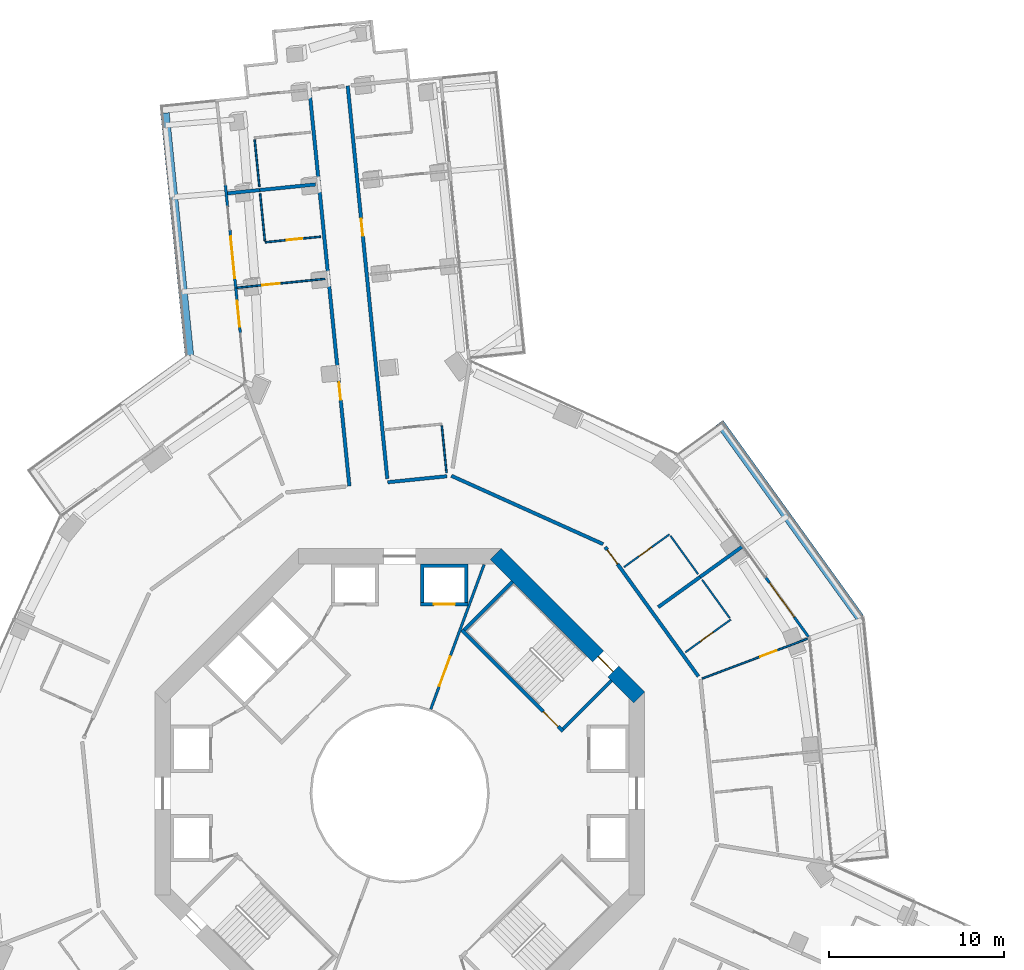
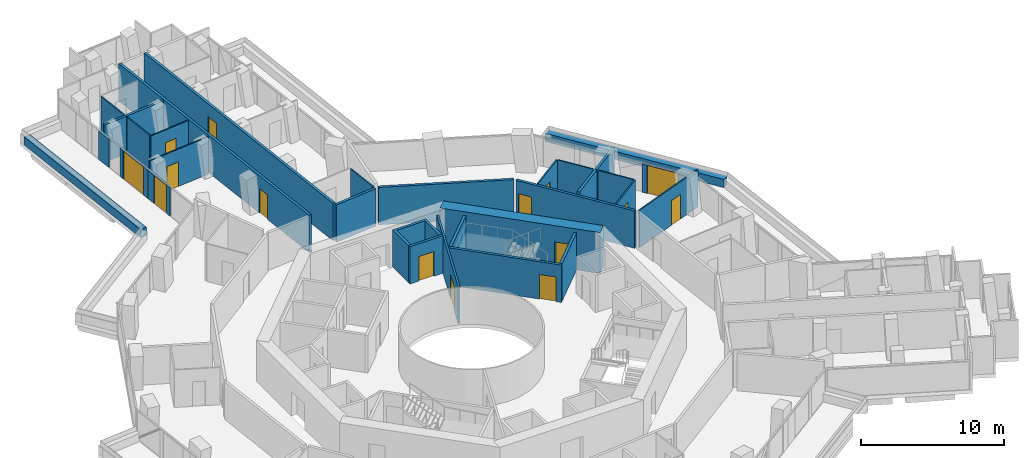
# One storey, part 22 of 26: 32 walls, 15 doors, 15 openings.
"""IFC4 building model written with IfcOpenShell, lengths in metres."""

from ifc_helpers import new_model, si_unit, direction, frame, frame_2d, origin, place, context, subcontext, project, spatial, polyline, rectangle, outline, extrude, material, layer, layer_set, type_object, element, fill, save


model = new_model("IFC4")

# Units and contexts
model_context = context("Model", 3, precision=1e-05, world=origin(), true_north=direction((0.0, 1.0)))
body_context = subcontext(model_context, "Body", "Model", "MODEL_VIEW")
ifc_project = project(units=[si_unit("LENGTHUNIT", "METRE"), si_unit("AREAUNIT", "SQUARE_METRE"), si_unit("VOLUMEUNIT", "CUBIC_METRE"), si_unit("PLANEANGLEUNIT", "RADIAN"), si_unit("MASSUNIT", "GRAM", prefix="KILO")], contexts=[model_context])

# Site, building, storey
site_placement = place(None, origin())
site = spatial("IfcSite", under=ifc_project, at=site_placement, CompositionType="ELEMENT")
building_placement = place(site_placement, origin())
building = spatial("IfcBuilding", under=site, at=building_placement, Name="Verdalira Terraces Hotel", CompositionType="ELEMENT")
storey_placement = place(building_placement, frame((0.0, 0.0, 56.5)))
storey = spatial("IfcBuildingStorey", under=building, at=storey_placement, Name="L12", CompositionType="ELEMENT", Elevation=56.5)

# Walls
ifc_material_1 = material(Name="Concrete C40", Category="concrete")
ifc_layer_1 = layer(ifc_material_1, 0.5)
ifc_layer_set_1 = layer_set([ifc_layer_1], Name="Balcony planter trough with tree")
wall_type_1 = type_object("IfcWallType", Name="Balcony planter trough with tree", PredefinedType="SOLIDWALL", material=ifc_layer_set_1)
wall_1_placement = place(storey_placement, frame((-13.419678, 38.878662, 0.0), z_axis=(0.0, 0.0, 1.0), x_axis=(0.100368261, -0.994950357, 0.0)))
element("IfcWall", 1, at=wall_1_placement, inside=storey, type_object=wall_type_1, Name="Balcony planter", PredefinedType="SOLIDWALL", context=body_context, shape_type="SweptSolid", body=[
    extrude(rectangle(XDim=13.92334, YDim=0.5, at=frame_2d((6.96167, 0.0))), origin(), (0.0, 0.0, 1.0), 0.699951),
])
wall_2_placement = place(storey_placement, frame((26.300049, 10.038574, 0.0), z_axis=(0.0, 0.0, 1.0), x_axis=(-0.5843858, 0.811475962, 0.0)))
element("IfcWall", 2, at=wall_2_placement, inside=storey, type_object=wall_type_1, Name="Balcony planter", PredefinedType="SOLIDWALL", context=body_context, shape_type="SweptSolid", body=[
    extrude(rectangle(XDim=13.723389, YDim=0.5, at=frame_2d((6.861816, 0.0))), origin(), (0.0, 0.0, 1.0), 0.699951),
])
ifc_material_2 = material(Name="Moisture-resistant gypsum board partition")
ifc_layer_2 = layer(ifc_material_2, 0.10009765625)
ifc_layer_set_2 = layer_set([ifc_layer_2], Name="Bathroom partition 100 mm")
wall_type_2 = type_object("IfcWallType", Name="Bathroom partition 100 mm", PredefinedType="PARTITIONING", material=ifc_layer_set_2)
for number, where, z_axis, x_axis, name in (
    (3, (-8.291504, 37.362061, 0.0), (0.0, 0.0, 1.0), (0.100372122, -0.994949967, 0.0), "Bathroom partition"),
    (4, (-7.980469, 34.277588, 0.0), (0.0, 0.0, 1.0), (0.100372122, -0.994949967, 0.0), "Bathroom partition"),
):
    element("IfcWall", number, at=place(storey_placement, frame(where, z_axis=z_axis, x_axis=x_axis)), inside=storey, type_object=wall_type_2, Name=name, PredefinedType="PARTITIONING", context=body_context, shape_type="SweptSolid", body=[
        extrude(rectangle(XDim=2.699951, YDim=0.100098, at=frame_2d((1.350098, 0.0))), origin(), (0.0, 0.0, 1.0), 3.189941),
    ])

# Wall, opening, door
wall_3_placement = place(storey_placement, frame((-9.296875, 28.894775, 0.0), z_axis=(0.0, 0.0, 1.0), x_axis=(0.994950657, 0.100365285, 0.0)))
wall_3 = element("IfcWall", 5, at=wall_3_placement, inside=storey, type_object=wall_type_2, Name="Bathroom partition", PredefinedType="PARTITIONING", context=body_context, shape_type="SweptSolid", body=[
    extrude(rectangle(XDim=5.049805, YDim=0.100098, at=frame_2d((2.524902, 0.0))), origin(), (0.0, 0.0, 1.0), 3.189941),
])
opening_1_placement = place(wall_3_placement, frame((1.449951, 0.0, 0.0)))
opening_1 = element("IfcOpeningElement", 6, at=opening_1_placement, cuts=wall_3, Name="Opening L12-110", PredefinedType="OPENING", context=body_context, shape_type="SweptSolid", body=[
    extrude(rectangle(XDim=1.0, YDim=2.100098, at=frame_2d((0.5, 1.050049))), frame((0.0, 0.060059, 0.0), z_axis=(0.0, -1.0, 0.0), x_axis=(1.0, 0.0, 0.0)), (0.0, 0.0, 1.0), 0.120117),
])
ifc_material_3 = material(Name="Timber door", Category="wood")
door_type_1 = type_object("IfcDoorType", Name="Suite internal door 1000 x 2100", OperationType="NOTDEFINED", PredefinedType="DOOR", material=ifc_material_3)
door_1_placement = place(opening_1_placement, origin())
door_1 = element("IfcDoor", 7, at=door_1_placement, inside=storey, type_object=door_type_1, Name="Suite internal door 1203", OperationType="SINGLE_SWING_LEFT", OverallHeight=2.10009765625, OverallWidth=1.0, PredefinedType="DOOR", context=body_context, shape_type="SweptSolid", body=[
    extrude(rectangle(XDim=1.0, YDim=2.100098, at=frame_2d((0.5, 1.050049))), frame((0.0, 0.024902, 0.0), z_axis=(0.0, -1.0, 0.0), x_axis=(1.0, 0.0, 0.0)), (0.0, 0.0, 1.0), 0.050049),
])
fill(opening_1, door_1)

wall_4_placement = place(storey_placement, frame((-7.699463, 31.491699, 0.0), z_axis=(0.0, 0.0, 1.0), x_axis=(0.994946894, 0.100402585, 0.0)))
wall_4 = element("IfcWall", 8, at=wall_4_placement, inside=storey, type_object=wall_type_2, Name="Bathroom partition", PredefinedType="PARTITIONING", context=body_context, shape_type="SweptSolid", body=[
    extrude(rectangle(XDim=3.199951, YDim=0.100098, at=frame_2d((1.600098, 0.0))), origin(), (0.0, 0.0, 1.0), 3.189941),
])
opening_2_placement = place(wall_4_placement, frame((1.25, 0.0, 0.0)))
opening_2 = element("IfcOpeningElement", 9, at=opening_2_placement, cuts=wall_4, Name="Opening L12-111", PredefinedType="OPENING", context=body_context, shape_type="SweptSolid", body=[
    extrude(rectangle(XDim=0.899902, YDim=2.100098, at=frame_2d((0.449951, 1.050049))), frame((0.0, 0.060059, 0.0), z_axis=(0.0, -1.0, 0.0), x_axis=(1.0, 0.0, 0.0)), (0.0, 0.0, 1.0), 0.120117),
])
ifc_material_4 = material(Name="Timber door", Category="wood")
door_type_2 = type_object("IfcDoorType", Name="Bathroom door 900 x 2100", OperationType="NOTDEFINED", PredefinedType="DOOR", material=ifc_material_4)
door_2_placement = place(opening_2_placement, origin())
door_2 = element("IfcDoor", 10, at=door_2_placement, inside=storey, type_object=door_type_2, Name="Bathroom door 1203", OperationType="SINGLE_SWING_LEFT", OverallHeight=2.10009765625, OverallWidth=0.89990234375, PredefinedType="DOOR", context=body_context, shape_type="SweptSolid", body=[
    extrude(rectangle(XDim=0.899902, YDim=2.100098, at=frame_2d((0.449951, 1.050049))), frame((0.0, 0.024902, 0.0), z_axis=(0.0, -1.0, 0.0), x_axis=(1.0, 0.0, 0.0)), (0.0, 0.0, 1.0), 0.050049),
])
fill(opening_2, door_2)

# Wall
wall_5_placement = place(storey_placement, frame((2.675049, 18.319336, 0.0), z_axis=(0.0, 0.0, 1.0), x_axis=(-0.100372122, 0.994949967, 0.0)))
element("IfcWall", 11, at=wall_5_placement, inside=storey, type_object=wall_type_2, Name="Bathroom partition", PredefinedType="PARTITIONING", context=body_context, shape_type="SweptSolid", body=[
    extrude(rectangle(XDim=2.699951, YDim=0.100098, at=frame_2d((1.350098, 0.0))), origin(), (0.0, 0.0, 1.0), 3.189941),
])

# Wall, opening, door
wall_6_placement = place(storey_placement, frame((15.41626, 14.799316, 0.0), z_axis=(0.0, 0.0, 1.0), x_axis=(-0.811459086, -0.584409233, 0.0)))
wall_6 = element("IfcWall", 12, at=wall_6_placement, inside=storey, type_object=wall_type_2, Name="Bathroom partition", PredefinedType="PARTITIONING", context=body_context, shape_type="SweptSolid", body=[
    extrude(rectangle(XDim=3.199951, YDim=0.100098, at=frame_2d((1.600098, 0.0))), origin(), (0.0, 0.0, 1.0), 3.189941),
])
opening_3_placement = place(wall_6_placement, frame((1.25, 0.0, 0.0)))
opening_3 = element("IfcOpeningElement", 13, at=opening_3_placement, cuts=wall_6, Name="Opening L12-138", PredefinedType="OPENING", context=body_context, shape_type="SweptSolid", body=[
    extrude(rectangle(XDim=0.899902, YDim=2.100098, at=frame_2d((0.449951, 1.050049))), frame((0.0, 0.060059, 0.0), z_axis=(0.0, -1.0, 0.0), x_axis=(1.0, 0.0, 0.0)), (0.0, 0.0, 1.0), 0.120117),
])
door_3_placement = place(opening_3_placement, origin())
door_3 = element("IfcDoor", 14, at=door_3_placement, inside=storey, type_object=door_type_2, Name="Bathroom door 1215", OperationType="SINGLE_SWING_LEFT", OverallHeight=2.10009765625, OverallWidth=0.89990234375, PredefinedType="DOOR", context=body_context, shape_type="SweptSolid", body=[
    extrude(rectangle(XDim=0.899902, YDim=2.100098, at=frame_2d((0.449951, 1.050049))), frame((0.0, 0.024902, 0.0), z_axis=(0.0, -1.0, 0.0), x_axis=(1.0, 0.0, 0.0)), (0.0, 0.0, 1.0), 0.050049),
])
fill(opening_3, door_3)

# Wall
wall_7_placement = place(storey_placement, frame((15.474609, 14.718018, 0.0), z_axis=(0.0, 0.0, 1.0), x_axis=(0.58440715, -0.811460586, 0.0)))
element("IfcWall", 15, at=wall_7_placement, inside=storey, type_object=wall_type_2, Name="Bathroom partition", PredefinedType="PARTITIONING", context=body_context, shape_type="SweptSolid", body=[
    extrude(rectangle(XDim=2.699951, YDim=0.100098, at=frame_2d((1.350098, 0.0))), origin(), (0.0, 0.0, 1.0), 3.189941),
])

# Wall, opening, door
wall_8_placement = place(storey_placement, frame((16.325928, 8.060303, 0.0), z_axis=(0.0, 0.0, 1.0), x_axis=(0.811459086, 0.584409233, 0.0)))
wall_8 = element("IfcWall", 16, at=wall_8_placement, inside=storey, type_object=wall_type_2, Name="Bathroom partition", PredefinedType="PARTITIONING", context=body_context, shape_type="SweptSolid", body=[
    extrude(rectangle(XDim=3.199951, YDim=0.100098, at=frame_2d((1.600098, 0.0))), origin(), (0.0, 0.0, 1.0), 3.189941),
])
opening_4_placement = place(wall_8_placement, frame((1.050049, 0.0, 0.0)))
opening_4 = element("IfcOpeningElement", 17, at=opening_4_placement, cuts=wall_8, Name="Opening L12-136", PredefinedType="OPENING", context=body_context, shape_type="SweptSolid", body=[
    extrude(rectangle(XDim=0.899902, YDim=2.100098, at=frame_2d((0.449951, 1.050049))), frame((0.0, 0.060059, 0.0), z_axis=(0.0, -1.0, 0.0), x_axis=(1.0, 0.0, 0.0)), (0.0, 0.0, 1.0), 0.120117),
])
door_4_placement = place(opening_4_placement, origin())
door_4 = element("IfcDoor", 18, at=door_4_placement, inside=storey, type_object=door_type_2, Name="Bathroom door 1214", OperationType="SINGLE_SWING_RIGHT", OverallHeight=2.10009765625, OverallWidth=0.89990234375, PredefinedType="DOOR", context=body_context, shape_type="SweptSolid", body=[
    extrude(rectangle(XDim=0.899902, YDim=2.100098, at=frame_2d((0.449951, 1.050049))), frame((0.0, 0.024902, 0.0), z_axis=(0.0, -1.0, 0.0), x_axis=(1.0, 0.0, 0.0)), (0.0, 0.0, 1.0), 0.050049),
])
fill(opening_4, door_4)

# Wall
wall_9_placement = place(storey_placement, frame((18.864014, 10.011475, 0.0), z_axis=(0.0, 0.0, 1.0), x_axis=(-0.584347605, 0.811503467, 0.0)))
element("IfcWall", 19, at=wall_9_placement, inside=storey, type_object=wall_type_2, Name="Bathroom partition", PredefinedType="PARTITIONING", context=body_context, shape_type="SweptSolid", body=[
    extrude(rectangle(XDim=2.699707, YDim=0.100098, at=frame_2d((1.349854, 0.0))), origin(), (0.0, 0.0, 1.0), 3.189941),
])

# Wall, opening, door
wall_10_placement = place(storey_placement, frame((17.287842, 6.553223, 0.0), z_axis=(0.0, 0.0, 1.0), x_axis=(0.935072944, 0.354455341, 0.0)))
wall_10 = element("IfcWall", 20, at=wall_10_placement, inside=storey, type_object=wall_type_2, Name="Bathroom partition", PredefinedType="PARTITIONING", context=body_context, shape_type="SweptSolid", body=[
    extrude(rectangle(XDim=6.47583, YDim=0.100098, at=frame_2d((3.237793, 0.0))), origin(), (0.0, 0.0, 1.0), 3.189941),
])
opening_5_placement = place(wall_10_placement, frame((3.550049, 0.0, 0.0)))
opening_5 = element("IfcOpeningElement", 21, at=opening_5_placement, cuts=wall_10, Name="Opening L12-134", PredefinedType="OPENING", context=body_context, shape_type="SweptSolid", body=[
    extrude(rectangle(XDim=1.0, YDim=2.100098, at=frame_2d((0.5, 1.050049))), frame((0.0, 0.060059, 0.0), z_axis=(0.0, -1.0, 0.0), x_axis=(1.0, 0.0, 0.0)), (0.0, 0.0, 1.0), 0.120117),
])
door_5_placement = place(opening_5_placement, origin())
door_5 = element("IfcDoor", 22, at=door_5_placement, inside=storey, type_object=door_type_1, Name="Suite internal door 1214", OperationType="SINGLE_SWING_LEFT", OverallHeight=2.10009765625, OverallWidth=1.0, PredefinedType="DOOR", context=body_context, shape_type="SweptSolid", body=[
    extrude(rectangle(XDim=1.0, YDim=2.100098, at=frame_2d((0.5, 1.050049))), frame((0.0, 0.024902, 0.0), z_axis=(0.0, -1.0, 0.0), x_axis=(1.0, 0.0, 0.0)), (0.0, 0.0, 1.0), 0.050049),
])
fill(opening_5, door_5)

# Wall
ifc_material_5 = material(Name="Concrete C50", Category="concrete")
ifc_layer_3 = layer(ifc_material_5, 0.199951171875)
ifc_layer_set_3 = layer_set([ifc_layer_3], Name="Core RC wall 200 C50")
wall_type_3 = type_object("IfcWallType", Name="Core RC wall 200 C50", PredefinedType="SOLIDWALL", material=ifc_layer_set_3)
wall_11_placement = place(storey_placement, origin())
element("IfcWall", 23, at=wall_11_placement, inside=storey, type_object=wall_type_3, Name="L12 shaft wall N1", PredefinedType="SOLIDWALL", context=body_context, shape_type="SweptSolid", body=[
    extrude(outline(polyline([(3.899902, 13.100098), (3.899902, 10.899902), (3.699951, 10.899902), (3.699951, 12.899902), (1.399902, 12.899902), (1.399902, 10.899902), (1.199951, 10.899902), (1.199951, 13.100098), (3.899902, 13.100098)])), origin(), (0.0, 0.0, 1.0), 3.189941),
])

# Wall, opening, door
wall_12_placement = place(storey_placement, frame((1.199951, 10.800049, 0.0), z_axis=(0.0, 0.0, 1.0), x_axis=(1.0, 0.0, 0.0)))
wall_12 = element("IfcWall", 24, at=wall_12_placement, inside=storey, type_object=wall_type_3, Name="L12 shaft front wall N1", PredefinedType="SOLIDWALL", context=body_context, shape_type="SweptSolid", body=[
    extrude(rectangle(XDim=2.699951, YDim=0.199951, at=frame_2d((1.350098, 0.0))), origin(), (0.0, 0.0, 1.0), 3.189941),
])
opening_6_placement = place(wall_12_placement, frame((0.75, 0.0, 0.0)))
opening_6 = element("IfcOpeningElement", 25, at=opening_6_placement, cuts=wall_12, Name="Opening LD-L12-803", PredefinedType="OPENING", context=body_context, shape_type="SweptSolid", body=[
    extrude(rectangle(XDim=1.199951, YDim=2.100098, at=frame_2d((0.600098, 1.050049))), frame((0.0, 0.109863, 0.0), z_axis=(0.0, -1.0, 0.0), x_axis=(1.0, 0.0, 0.0)), (0.0, 0.0, 1.0), 0.219971),
])
ifc_material_6 = material(Name="Stainless steel", Category="steel")
door_type_3 = type_object("IfcDoorType", Name="Landing door 1200 x 2100", OperationType="NOTDEFINED", PredefinedType="DOOR", material=ifc_material_6)
door_6_placement = place(opening_6_placement, origin())
door_6 = element("IfcDoor", 26, at=door_6_placement, inside=storey, type_object=door_type_3, Name="Lift landing door LR3 L12", OperationType="DOUBLE_DOOR_SLIDING", OverallHeight=2.10009765625, OverallWidth=1.199951171875, PredefinedType="DOOR", context=body_context, shape_type="SweptSolid", body=[
    extrude(rectangle(XDim=1.199951, YDim=2.100098, at=frame_2d((0.600098, 1.050049))), frame((0.0, 0.024902, 0.0), z_axis=(0.0, -1.0, 0.0), x_axis=(1.0, 0.0, 0.0)), (0.0, 0.0, 1.0), 0.050049),
])
fill(opening_6, door_6)

wall_13_placement = place(storey_placement, frame((3.5354, 9.33374, 0.0), z_axis=(0.0, 0.0, 1.0), x_axis=(0.707106781, -0.707106781, 0.0)))
wall_13 = element("IfcWall", 27, at=wall_13_placement, inside=storey, type_object=wall_type_3, Name="L12 stair ST1 front wall", PredefinedType="SOLIDWALL", context=body_context, shape_type="SweptSolid", body=[
    extrude(rectangle(XDim=8.200195, YDim=0.199951, at=frame_2d((4.100098, 0.0))), origin(), (0.0, 0.0, 1.0), 3.189941),
])
opening_7_placement = place(wall_13_placement, frame((6.600098, 0.0, 0.0)))
opening_7 = element("IfcOpeningElement", 28, at=opening_7_placement, cuts=wall_13, Name="Opening L12-809", PredefinedType="OPENING", context=body_context, shape_type="SweptSolid", body=[
    extrude(rectangle(XDim=1.199951, YDim=2.100098, at=frame_2d((0.600098, 1.050049))), frame((0.0, 0.109863, 0.0), z_axis=(0.0, -1.0, 0.0), x_axis=(1.0, 0.0, 0.0)), (0.0, 0.0, 1.0), 0.219971),
])
ifc_material_7 = material(Name="Steel fire door", Category="steel")
door_type_4 = type_object("IfcDoorType", Name="Stair door 1200 x 2100", OperationType="NOTDEFINED", PredefinedType="DOOR", material=ifc_material_7)
door_7_placement = place(opening_7_placement, origin())
door_7 = element("IfcDoor", 29, at=door_7_placement, inside=storey, type_object=door_type_4, Name="Stair door ST1 L12", OperationType="SINGLE_SWING_RIGHT", OverallHeight=2.10009765625, OverallWidth=1.199951171875, PredefinedType="DOOR", context=body_context, shape_type="SweptSolid", body=[
    extrude(rectangle(XDim=1.199951, YDim=2.100098, at=frame_2d((0.600098, 1.050049))), frame((0.0, 0.024902, 0.0), z_axis=(0.0, -1.0, 0.0), x_axis=(1.0, 0.0, 0.0)), (0.0, 0.0, 1.0), 0.050049),
])
fill(opening_7, door_7)

# Walls
for number, where, z_axis, x_axis, name in (
    (30, (9.33374, 3.677002, 0.0), (0.0, 0.0, 1.0), (0.707106781, 0.707106781, 0.0), "L12 stair ST1 end wall 1"),
    (31, (3.677002, 9.33374, 0.0), (0.0, 0.0, 1.0), (0.707106781, 0.707106781, 0.0), "L12 stair ST1 end wall 2"),
):
    element("IfcWall", number, at=place(storey_placement, frame(where, z_axis=z_axis, x_axis=x_axis)), inside=storey, type_object=wall_type_3, Name=name, PredefinedType="SOLIDWALL", context=body_context, shape_type="SweptSolid", body=[
        extrude(rectangle(XDim=3.900146, YDim=0.199951, at=frame_2d((1.950195, 0.0))), origin(), (0.0, 0.0, 1.0), 3.189941),
    ])

# Wall, opening, door
ifc_material_8 = material(Name="Gypsum board partition")
ifc_layer_4 = layer(ifc_material_8, 0.14990234375)
ifc_layer_set_4 = layer_set([ifc_layer_4], Name="Core partition 150 mm")
wall_type_4 = type_object("IfcWallType", Name="Core partition 150 mm", PredefinedType="PARTITIONING", material=ifc_layer_set_4)
wall_14_placement = place(storey_placement, frame((1.775635, 4.812988, 0.0), z_axis=(0.0, 0.0, 1.0), x_axis=(0.346112737, 0.93819293, 0.0)))
wall_14 = element("IfcWall", 32, at=wall_14_placement, inside=storey, type_object=wall_type_4, Name="Gallery fire partition L12", PredefinedType="PARTITIONING", context=body_context, shape_type="SweptSolid", body=[
    extrude(rectangle(XDim=8.803223, YDim=0.149902, at=frame_2d((4.401611, 0.0))), origin(), (0.0, 0.0, 1.0), 3.189941),
])
opening_8_placement = place(wall_14_placement, frame((1.399902, 0.0, 0.0)))
opening_8 = element("IfcOpeningElement", 33, at=opening_8_placement, cuts=wall_14, Name="Opening L12-824", PredefinedType="OPENING", context=body_context, shape_type="SweptSolid", body=[
    extrude(rectangle(XDim=1.800049, YDim=2.100098, at=frame_2d((0.899902, 1.050049))), frame((0.0, 0.084961, 0.0), z_axis=(0.0, -1.0, 0.0), x_axis=(1.0, 0.0, 0.0)), (0.0, 0.0, 1.0), 0.169922),
])
ifc_material_9 = material(Name="Steel fire door", Category="steel")
door_type_5 = type_object("IfcDoorType", Name="Gallery fire door pair 1800 x 2100", OperationType="NOTDEFINED", PredefinedType="DOOR", material=ifc_material_9)
door_8_placement = place(opening_8_placement, origin())
door_8 = element("IfcDoor", 34, at=door_8_placement, inside=storey, type_object=door_type_5, Name="Door L12 split1", OperationType="DOUBLE_DOOR_SINGLE_SWING", OverallHeight=2.10009765625, OverallWidth=1.800048828125, PredefinedType="DOOR", context=body_context, shape_type="SweptSolid", body=[
    extrude(rectangle(XDim=1.800049, YDim=2.100098, at=frame_2d((0.899902, 1.050049))), frame((0.0, 0.024902, 0.0), z_axis=(0.0, -1.0, 0.0), x_axis=(1.0, 0.0, 0.0)), (0.0, 0.0, 1.0), 0.050049),
])
fill(opening_8, door_8)

ifc_material_10 = material(Name="Concrete C70", Category="concrete")
ifc_layer_5 = layer(ifc_material_10, 0.89990234375)
ifc_layer_set_5 = layer_set([ifc_layer_5], Name="Core wall 900 C70")
wall_type_5 = type_object("IfcWallType", Name="Core wall 900 C70", PredefinedType="SHEAR", material=ifc_layer_set_5)
wall_15_placement = place(storey_placement, frame((13.681885, 5.480713, 0.0), z_axis=(0.0, 0.0, 1.0), x_axis=(-0.707106781, 0.707106781, 0.0)))
wall_15 = element("IfcWall", 35, at=wall_15_placement, inside=storey, type_object=wall_type_5, Name="Core wall CW-L12-2", PredefinedType="SHEAR", context=body_context, shape_type="SweptSolid", body=[
    extrude(rectangle(XDim=11.598145, YDim=0.899902, at=frame_2d((5.799072, 0.0))), origin(), (0.0, 0.0, 1.0), 3.5),
])
opening_9_placement = place(wall_15_placement, frame((2.099121, 0.0, 0.0)))
opening_9 = element("IfcOpeningElement", 36, at=opening_9_placement, cuts=wall_15, Name="Opening L12-816", PredefinedType="OPENING", context=body_context, shape_type="SweptSolid", body=[
    extrude(rectangle(XDim=1.199951, YDim=2.100098, at=frame_2d((0.600098, 1.050049))), frame((0.0, 0.459961, 0.0), z_axis=(0.0, -1.0, 0.0), x_axis=(1.0, 0.0, 0.0)), (0.0, 0.0, 1.0), 0.919922),
])
door_9_placement = place(opening_9_placement, origin())
door_9 = element("IfcDoor", 37, at=door_9_placement, inside=storey, type_object=door_type_4, Name="Stair exit door ST1 L12", OperationType="SINGLE_SWING_LEFT", OverallHeight=2.10009765625, OverallWidth=1.199951171875, PredefinedType="DOOR", context=body_context, shape_type="SweptSolid", body=[
    extrude(rectangle(XDim=1.199951, YDim=2.100098, at=frame_2d((0.600098, 1.050049))), frame((0.0, 0.024902, 0.0), z_axis=(0.0, -1.0, 0.0), x_axis=(1.0, 0.0, 0.0)), (0.0, 0.0, 1.0), 0.050049),
])
fill(opening_9, door_9)

# Walls
ifc_material_11 = material(Name="Fire-rated gypsum board wall")
ifc_layer_6 = layer(ifc_material_11, 0.199951171875)
ifc_layer_set_6 = layer_set([ifc_layer_6], Name="Demising wall 200 mm")
wall_type_6 = type_object("IfcWallType", Name="Demising wall 200 mm", PredefinedType="SOLIDWALL", material=ifc_layer_set_6)
wall_16_placement = place(storey_placement, frame((-8.000488, 34.476807, 0.0), z_axis=(0.0, 0.0, 1.0), x_axis=(-0.994945316, -0.100418221, 0.0)))
element("IfcWall", 38, at=wall_16_placement, inside=storey, type_object=wall_type_6, Name="Demising wall", PredefinedType="SOLIDWALL", context=body_context, shape_type="SweptSolid", body=[
    extrude(rectangle(XDim=1.850098, YDim=0.199951, at=frame_2d((0.925049, 0.0))), origin(), (0.0, 0.0, 1.0), 3.189941),
])
wall_17_placement = place(storey_placement, frame((-4.81665, 34.797852, 0.0), z_axis=(0.0, 0.0, 1.0), x_axis=(-0.994954512, -0.10032706, 0.0)))
element("IfcWall", 39, at=wall_17_placement, inside=storey, type_object=wall_type_6, Name="Demising wall", PredefinedType="SOLIDWALL", context=body_context, shape_type="SweptSolid", body=[
    extrude(rectangle(XDim=3.199951, YDim=0.199951, at=frame_2d((1.600098, 0.0))), origin(), (0.0, 0.0, 1.0), 3.189941),
])
wall_18_placement = place(storey_placement, frame((14.773193, 10.63916, 0.0), z_axis=(0.0, 0.0, 1.0), x_axis=(0.811487293, 0.584370065, 0.0)))
element("IfcWall", 40, at=wall_18_placement, inside=storey, type_object=wall_type_6, Name="Demising wall", PredefinedType="SOLIDWALL", context=body_context, shape_type="SweptSolid", body=[
    extrude(rectangle(XDim=2.952881, YDim=0.199951, at=frame_2d((1.476562, 0.0))), origin(), (0.0, 0.0, 1.0), 3.189941),
])
wall_19_placement = place(storey_placement, frame((17.169434, 12.364746, 0.0), z_axis=(0.0, 0.0, 1.0), x_axis=(0.811479396, 0.584381032, 0.0)))
element("IfcWall", 41, at=wall_19_placement, inside=storey, type_object=wall_type_6, Name="Demising wall", PredefinedType="SOLIDWALL", context=body_context, shape_type="SweptSolid", body=[
    extrude(rectangle(XDim=2.949951, YDim=0.199951, at=frame_2d((1.475098, 0.0))), origin(), (0.0, 0.0, 1.0), 3.189941),
])

# Wall, opening, door
ifc_material_12 = material(Name="Fire-rated gypsum board wall")
ifc_layer_7 = layer(ifc_material_12, 0.199951171875)
ifc_layer_set_7 = layer_set([ifc_layer_7], Name="Guest corridor wall 200 mm")
wall_type_7 = type_object("IfcWallType", Name="Guest corridor wall 200 mm", PredefinedType="SOLIDWALL", material=ifc_layer_set_7)
wall_20_placement = place(storey_placement, frame((-2.876709, 17.55835, 0.0), z_axis=(0.0, 0.0, 1.0), x_axis=(-0.100365662, 0.994950619, 0.0)))
wall_20 = element("IfcWall", 42, at=wall_20_placement, inside=storey, type_object=wall_type_7, Name="Guest corridor wall", PredefinedType="SOLIDWALL", context=body_context, shape_type="SweptSolid", body=[
    extrude(rectangle(XDim=22.770752, YDim=0.199951, at=frame_2d((11.385254, 0.0))), origin(), (0.0, 0.0, 1.0), 3.189941),
])
opening_10_placement = place(wall_20_placement, frame((4.949951, 0.0, 0.0)))
opening_10 = element("IfcOpeningElement", 43, at=opening_10_placement, cuts=wall_20, Name="Opening L12-109", PredefinedType="OPENING", context=body_context, shape_type="SweptSolid", body=[
    extrude(rectangle(XDim=1.0, YDim=2.100098, at=frame_2d((0.5, 1.050049))), frame((0.0, 0.109863, 0.0), z_axis=(0.0, -1.0, 0.0), x_axis=(1.0, 0.0, 0.0)), (0.0, 0.0, 1.0), 0.219971),
])
ifc_material_13 = material(Name="Timber fire door", Category="wood")
door_type_6 = type_object("IfcDoorType", Name="Guest entry door 1000 x 2100", OperationType="NOTDEFINED", PredefinedType="DOOR", material=ifc_material_13)
door_10_placement = place(opening_10_placement, origin())
door_10 = element("IfcDoor", 44, at=door_10_placement, inside=storey, type_object=door_type_6, Name="Guest entry door 1203", OperationType="SINGLE_SWING_LEFT", OverallHeight=2.10009765625, OverallWidth=1.0, PredefinedType="DOOR", context=body_context, shape_type="SweptSolid", body=[
    extrude(rectangle(XDim=1.0, YDim=2.100098, at=frame_2d((0.5, 1.050049))), frame((0.0, 0.024902, 0.0), z_axis=(0.0, -1.0, 0.0), x_axis=(1.0, 0.0, 0.0)), (0.0, 0.0, 1.0), 0.050049),
])
fill(opening_10, door_10)

wall_21_placement = place(storey_placement, frame((-2.973145, 40.434814, 0.0), z_axis=(0.0, 0.0, 1.0), x_axis=(0.100357237, -0.994951469, 0.0)))
wall_21 = element("IfcWall", 45, at=wall_21_placement, inside=storey, type_object=wall_type_7, Name="Guest corridor wall", PredefinedType="SOLIDWALL", context=body_context, shape_type="SweptSolid", body=[
    extrude(rectangle(XDim=22.570801, YDim=0.199951, at=frame_2d((11.2854, 0.0))), origin(), (0.0, 0.0, 1.0), 3.189941),
])
opening_11_placement = place(wall_21_placement, frame((7.623535, 0.0, 0.0)))
opening_11 = element("IfcOpeningElement", 46, at=opening_11_placement, cuts=wall_21, Name="Opening L12-101", PredefinedType="OPENING", context=body_context, shape_type="SweptSolid", body=[
    extrude(rectangle(XDim=1.0, YDim=2.100098, at=frame_2d((0.5, 1.050049))), frame((0.0, 0.109863, 0.0), z_axis=(0.0, -1.0, 0.0), x_axis=(1.0, 0.0, 0.0)), (0.0, 0.0, 1.0), 0.219971),
])
door_11_placement = place(opening_11_placement, origin())
door_11 = element("IfcDoor", 47, at=door_11_placement, inside=storey, type_object=door_type_6, Name="Guest entry door 1201", OperationType="SINGLE_SWING_LEFT", OverallHeight=2.10009765625, OverallWidth=1.0, PredefinedType="DOOR", context=body_context, shape_type="SweptSolid", body=[
    extrude(rectangle(XDim=1.0, YDim=2.100098, at=frame_2d((0.5, 1.050049))), frame((0.0, 0.024902, 0.0), z_axis=(0.0, -1.0, 0.0), x_axis=(1.0, 0.0, 0.0)), (0.0, 0.0, 1.0), 0.050049),
])
fill(opening_11, door_11)

# Walls
wall_22_placement = place(storey_placement, frame((2.695068, 18.120361, 0.0), z_axis=(0.0, 0.0, 1.0), x_axis=(-0.994948641, -0.100385263, 0.0)))
element("IfcWall", 48, at=wall_22_placement, inside=storey, type_object=wall_type_7, Name="Guest corridor wall", PredefinedType="SOLIDWALL", context=body_context, shape_type="SweptSolid", body=[
    extrude(rectangle(XDim=3.399902, YDim=0.199951, at=frame_2d((1.699951, 0.0))), origin(), (0.0, 0.0, 1.0), 3.189941),
])
wall_23_placement = place(storey_placement, frame((11.62915, 14.239258, 0.0), z_axis=(0.0, 0.0, 1.0), x_axis=(-0.911829794, 0.410568419, 0.0)))
element("IfcWall", 49, at=wall_23_placement, inside=storey, type_object=wall_type_7, Name="Guest corridor wall", PredefinedType="SOLIDWALL", context=body_context, shape_type="SweptSolid", body=[
    extrude(rectangle(XDim=9.516113, YDim=0.199951, at=frame_2d((4.758057, 0.0))), origin(), (0.0, 0.0, 1.0), 3.189941),
])

# Wall, opening, door
wall_24_placement = place(storey_placement, frame((11.746826, 14.076416, 0.0), z_axis=(0.0, 0.0, 1.0), x_axis=(0.584392911, -0.811470841, 0.0)))
wall_24 = element("IfcWall", 50, at=wall_24_placement, inside=storey, type_object=wall_type_7, Name="Guest corridor wall", PredefinedType="SOLIDWALL", context=body_context, shape_type="SweptSolid", body=[
    extrude(rectangle(XDim=9.116211, YDim=0.199951, at=frame_2d((4.558105, 0.0))), origin(), (0.0, 0.0, 1.0), 3.189941),
])
opening_12_placement = place(wall_24_placement, frame((0.199951, 0.0, 0.0)))
opening_12 = element("IfcOpeningElement", 51, at=opening_12_placement, cuts=wall_24, Name="Opening L12-137", PredefinedType="OPENING", context=body_context, shape_type="SweptSolid", body=[
    extrude(rectangle(XDim=1.0, YDim=2.100098, at=frame_2d((0.5, 1.050049))), frame((0.0, 0.109863, 0.0), z_axis=(0.0, -1.0, 0.0), x_axis=(1.0, 0.0, 0.0)), (0.0, 0.0, 1.0), 0.219971),
])
door_12_placement = place(opening_12_placement, origin())
door_12 = element("IfcDoor", 52, at=door_12_placement, inside=storey, type_object=door_type_6, Name="Guest entry door 1215", OperationType="SINGLE_SWING_LEFT", OverallHeight=2.10009765625, OverallWidth=1.0, PredefinedType="DOOR", context=body_context, shape_type="SweptSolid", body=[
    extrude(rectangle(XDim=1.0, YDim=2.100098, at=frame_2d((0.5, 1.050049))), frame((0.0, 0.024902, 0.0), z_axis=(0.0, -1.0, 0.0), x_axis=(1.0, 0.0, 0.0)), (0.0, 0.0, 1.0), 0.050049),
])
fill(opening_12, door_12)

# Wall
ifc_material_14 = material(Name="Terracotta cladding", Category="masonry")
ifc_layer_8 = layer(ifc_material_14, 0.14990234375)
ifc_layer_set_8 = layer_set([ifc_layer_8], Name="Terracotta column pier 150")
wall_type_8 = type_object("IfcWallType", Name="Terracotta column pier 150", PredefinedType="SOLIDWALL", material=ifc_layer_set_8)
wall_25_placement = place(storey_placement, frame((-9.966064, 34.781006, 0.0), z_axis=(0.0, 0.0, 1.0), x_axis=(0.100492942, -0.994937771, 0.0)))
element("IfcWall", 53, at=wall_25_placement, inside=storey, type_object=wall_type_8, Name="Terracotta column pier", PredefinedType="SOLIDWALL", context=body_context, shape_type="SweptSolid", body=[
    extrude(rectangle(XDim=1.270508, YDim=0.149902, at=frame_2d((0.635254, 0.0))), origin(), (0.0, 0.0, 1.0), 2.425049),
])

# Wall, opening, door
ifc_material_15 = material(Name="Terracotta cladding", Category="masonry")
ifc_layer_9 = layer(ifc_material_15, 0.14990234375)
ifc_layer_set_9 = layer_set([ifc_layer_9], Name="Terracotta door pier 150")
wall_type_9 = type_object("IfcWallType", Name="Terracotta door pier 150", PredefinedType="SOLIDWALL", material=ifc_layer_set_9)
wall_26_placement = place(storey_placement, frame((-9.707764, 32.220459, 0.0), z_axis=(0.0, 0.0, 1.0), x_axis=(0.10034787, -0.994952413, 0.0)))
wall_26 = element("IfcWall", 54, at=wall_26_placement, inside=storey, type_object=wall_type_9, Name="Terracotta door pier", PredefinedType="SOLIDWALL", context=body_context, shape_type="SweptSolid", body=[
    extrude(rectangle(XDim=3.350098, YDim=0.149902, at=frame_2d((1.675049, 0.0))), origin(), (0.0, 0.0, 1.0), 2.425049),
])
opening_13_placement = place(wall_26_placement, frame((0.399902, 0.0, 0.0)))
opening_13 = element("IfcOpeningElement", 55, at=opening_13_placement, cuts=wall_26, Name="Opening L12-B05", PredefinedType="OPENING", context=body_context, shape_type="SweptSolid", body=[
    extrude(rectangle(XDim=2.399902, YDim=2.399902, at=frame_2d((1.199951, 1.199951))), frame((0.0, 0.084961, 0.0), z_axis=(0.0, -1.0, 0.0), x_axis=(1.0, 0.0, 0.0)), (0.0, 0.0, 1.0), 0.169922),
])
ifc_material_16 = material(Name="Clear glass", Category="glass")
door_type_7 = type_object("IfcDoorType", Name="Balcony sliding door 2400x2400", OperationType="NOTDEFINED", PredefinedType="DOOR", material=ifc_material_16)
door_13_placement = place(opening_13_placement, origin())
door_13 = element("IfcDoor", 56, at=door_13_placement, inside=storey, type_object=door_type_7, Name="Balcony sliding door", OperationType="SLIDING_TO_RIGHT", OverallHeight=2.39990234375, OverallWidth=2.39990234375, PredefinedType="DOOR", context=body_context, shape_type="SweptSolid", body=[
    extrude(rectangle(XDim=2.399902, YDim=2.399902, at=frame_2d((1.199951, 1.199951))), frame((0.0, 0.024902, 0.0), z_axis=(0.0, -1.0, 0.0), x_axis=(1.0, 0.0, 0.0)), (0.0, 0.0, 1.0), 0.050049),
])
fill(opening_13, door_13)

wall_27_placement = place(storey_placement, frame((-9.371582, 28.887207, 0.0), z_axis=(0.0, 0.0, 1.0), x_axis=(0.100404905, -0.994946659, 0.0)))
wall_27 = element("IfcWall", 57, at=wall_27_placement, inside=storey, type_object=wall_type_9, Name="Terracotta door pier", PredefinedType="SOLIDWALL", context=body_context, shape_type="SweptSolid", body=[
    extrude(rectangle(XDim=2.628418, YDim=0.149902, at=frame_2d((1.314209, 0.0))), origin(), (0.0, 0.0, 1.0), 2.425049),
])
opening_14_placement = place(wall_27_placement, frame((0.72876, 0.0, 0.0)))
opening_14 = element("IfcOpeningElement", 58, at=opening_14_placement, cuts=wall_27, Name="Opening L12-B06", PredefinedType="OPENING", context=body_context, shape_type="SweptSolid", body=[
    extrude(rectangle(XDim=1.5, YDim=2.399902, at=frame_2d((0.75, 1.199951))), frame((0.0, 0.084961, 0.0), z_axis=(0.0, -1.0, 0.0), x_axis=(1.0, 0.0, 0.0)), (0.0, 0.0, 1.0), 0.169922),
])
ifc_material_17 = material(Name="Clear glass", Category="glass")
door_type_8 = type_object("IfcDoorType", Name="Balcony sliding door 1500x2400", OperationType="NOTDEFINED", PredefinedType="DOOR", material=ifc_material_17)
door_14_placement = place(opening_14_placement, origin())
door_14 = element("IfcDoor", 59, at=door_14_placement, inside=storey, type_object=door_type_8, Name="Balcony sliding door", OperationType="SLIDING_TO_LEFT", OverallHeight=2.39990234375, OverallWidth=1.5, PredefinedType="DOOR", context=body_context, shape_type="SweptSolid", body=[
    extrude(rectangle(XDim=1.5, YDim=2.399902, at=frame_2d((0.75, 1.199951))), frame((0.0, 0.024902, 0.0), z_axis=(0.0, -1.0, 0.0), x_axis=(1.0, 0.0, 0.0)), (0.0, 0.0, 1.0), 0.050049),
])
fill(opening_14, door_14)

wall_28_placement = place(storey_placement, frame((23.364014, 8.939209, 0.0), z_axis=(0.0, 0.0, 1.0), x_axis=(-0.584369059, 0.811488018, 0.0)))
wall_28 = element("IfcWall", 60, at=wall_28_placement, inside=storey, type_object=wall_type_9, Name="Terracotta door pier", PredefinedType="SOLIDWALL", context=body_context, shape_type="SweptSolid", body=[
    extrude(rectangle(XDim=4.19873, YDim=0.149902, at=frame_2d((2.099365, 0.0))), origin(), (0.0, 0.0, 1.0), 2.425049),
])
opening_15_placement = place(wall_28_placement, frame((1.398682, 0.0, 0.0)))
opening_15 = element("IfcOpeningElement", 61, at=opening_15_placement, cuts=wall_28, Name="Opening L12-B17", PredefinedType="OPENING", context=body_context, shape_type="SweptSolid", body=[
    extrude(rectangle(XDim=2.399902, YDim=2.399902, at=frame_2d((1.199951, 1.199951))), frame((0.0, 0.084961, 0.0), z_axis=(0.0, -1.0, 0.0), x_axis=(1.0, 0.0, 0.0)), (0.0, 0.0, 1.0), 0.169922),
])
door_15_placement = place(opening_15_placement, origin())
door_15 = element("IfcDoor", 62, at=door_15_placement, inside=storey, type_object=door_type_7, Name="Balcony sliding door", OperationType="SLIDING_TO_LEFT", OverallHeight=2.39990234375, OverallWidth=2.39990234375, PredefinedType="DOOR", context=body_context, shape_type="SweptSolid", body=[
    extrude(rectangle(XDim=2.399902, YDim=2.399902, at=frame_2d((1.199951, 1.199951))), frame((0.0, 0.024902, 0.0), z_axis=(0.0, -1.0, 0.0), x_axis=(1.0, 0.0, 0.0)), (0.0, 0.0, 1.0), 0.050049),
])
fill(opening_15, door_15)

save(model, "model.ifc")
